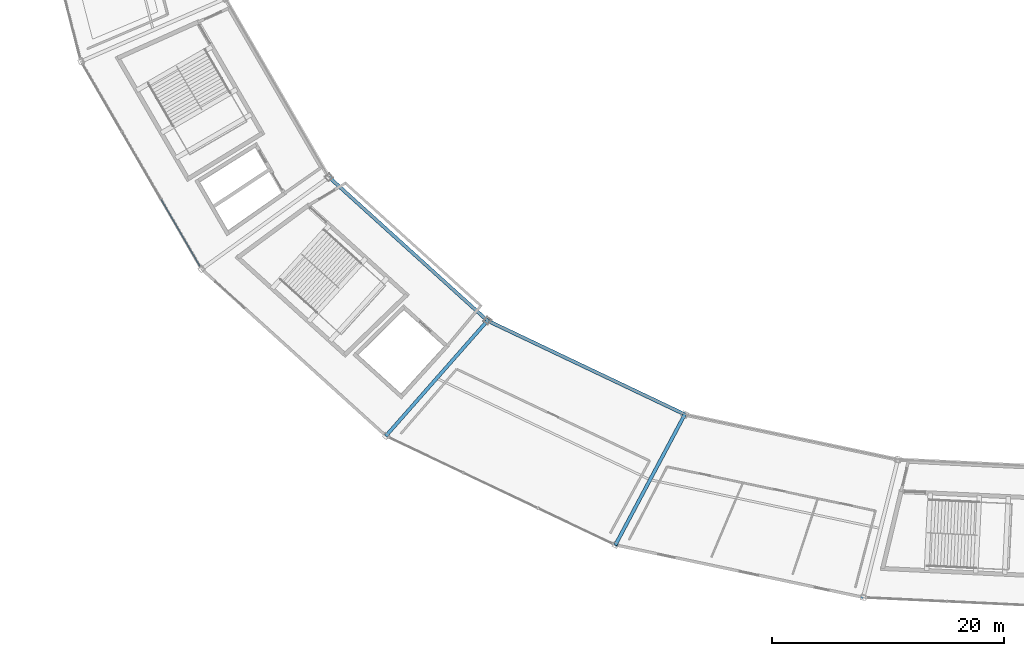
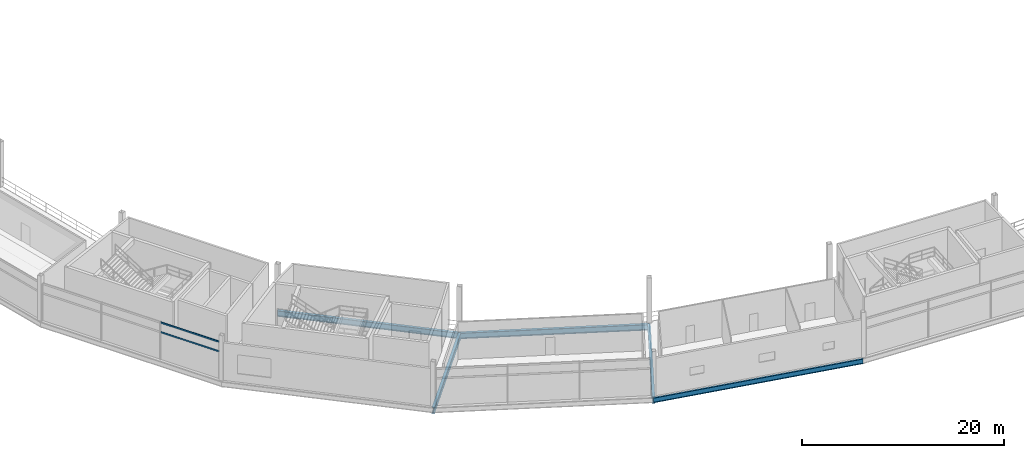
# One storey, part 16 of 103: 5 beams, 2 members, 1 element without a shape of its own.
"""IFC4 building model written with IfcOpenShell, lengths in metres."""

from ifc_helpers import new_model, si_unit, direction, frame, origin, origin_2d, place, context, subcontext, project, spatial, hollow_rectangle, i_section, extrude, material, layer, layer_set, material_profile, profile_set, type_object, element, aggregate, save


model = new_model("IFC4")

# Units and contexts
model_context = context("Model", 3, precision=1e-05, world=origin(), true_north=direction((0.0, 1.0)))
body_context = subcontext(model_context, "Body", "Model", "MODEL_VIEW")
ifc_project = project(units=[si_unit("LENGTHUNIT", "METRE"), si_unit("AREAUNIT", "SQUARE_METRE"), si_unit("VOLUMEUNIT", "CUBIC_METRE"), si_unit("PLANEANGLEUNIT", "RADIAN"), si_unit("MASSUNIT", "GRAM", prefix="KILO")], contexts=[model_context])

# Site, building, storey
site_placement = place(None, origin())
site = spatial("IfcSite", under=ifc_project, at=site_placement, CompositionType="ELEMENT")
building_placement = place(site_placement, origin())
building = spatial("IfcBuilding", under=site, at=building_placement, Name="Kazemori Nagisa Stadium", CompositionType="ELEMENT")
storey_placement = place(building_placement, frame((0.0, 0.0, 25.840087890625)))
storey = spatial("IfcBuildingStorey", under=building, at=storey_placement, Name="L05", CompositionType="ELEMENT", Elevation=25.840087890625)

# Beams
ifc_material_1 = material(Name="Steel SN490B", Category="steel")
ifc_material_profile_1 = material_profile(ifc_material_1, i_section(OverallWidth=0.300048828125, OverallDepth=0.699951171875, WebThickness=0.012939453125, FlangeThickness=0.02392578125, FilletRadius=0.01806640625, at=origin_2d()), Name="H-700x300x13x24")
ifc_profile_set_1 = profile_set([ifc_material_profile_1], Name="Steel SN490B")
beam_type_1 = type_object("IfcBeamType", Name="Beam_BG-H700", PredefinedType="BEAM", material=ifc_profile_set_1)
beam_1_placement = place(storey_placement, frame((55.493896484375, 53.265869140625, -0.610107421875), z_axis=(0.741349142139, -0.671119549298, 0.0), x_axis=(0.671119549298, 0.741349142139, 0.0)))
element("IfcBeam", 1, at=beam_1_placement, inside=storey, type_object=beam_type_1, Name="Ring girder BG-H700 L05 R2-18", PredefinedType="BEAM", context=body_context, shape_type="SweptSolid", body=[
    extrude(i_section(OverallWidth=0.300048828125, OverallDepth=0.699951171875, WebThickness=0.012939453125, FlangeThickness=0.02392578125, FilletRadius=0.01806640625, at=origin_2d()), origin(), (0.0, 0.0, 1.0), 18.44189453125),
])
beam_2_placement = place(storey_placement, frame((69.165771484375, 40.88916015625, -0.610107421875), z_axis=(0.90321938295, -0.42917915404, 0.0), x_axis=(0.42917915404, 0.90321938295, 0.0)))
element("IfcBeam", 2, at=beam_2_placement, inside=storey, type_object=beam_type_1, Name="Ring girder BG-H700 L05 R2-19", PredefinedType="BEAM", context=body_context, shape_type="SweptSolid", body=[
    extrude(i_section(OverallWidth=0.300048828125, OverallDepth=0.699951171875, WebThickness=0.012939453125, FlangeThickness=0.02392578125, FilletRadius=0.01806640625, at=origin_2d()), origin(), (0.0, 0.0, 1.0), 18.84619140625),
])
beam_3_placement = place(storey_placement, frame((69.165771484375, 40.88916015625, -0.610107421875), z_axis=(-0.661019680997, -0.750368563664, 0.0), x_axis=(0.750368563664, -0.661019680997, 0.0)))
element("IfcBeam", 3, at=beam_3_placement, inside=storey, type_object=beam_type_1, Name="Radial girder BG-H700 L05 R2-R3-19", PredefinedType="BEAM", context=body_context, shape_type="SweptSolid", body=[
    extrude(i_section(OverallWidth=0.300048828125, OverallDepth=0.699951171875, WebThickness=0.012939453125, FlangeThickness=0.02392578125, FilletRadius=0.01806640625, at=origin_2d()), origin(), (0.0, 0.0, 1.0), 13.2578125),
])
beam_4_placement = place(storey_placement, frame((86.18798828125, 32.80078125, -0.610107421875), z_axis=(-0.469648511848, -0.882853484628, 0.0), x_axis=(0.882853484628, -0.469648511848, 0.0)))
element("IfcBeam", 4, at=beam_4_placement, inside=storey, type_object=beam_type_1, Name="Radial girder BG-H700 L05 R2-R3-20", PredefinedType="BEAM", context=body_context, shape_type="SweptSolid", body=[
    extrude(i_section(OverallWidth=0.300048828125, OverallDepth=0.699951171875, WebThickness=0.012939453125, FlangeThickness=0.02392578125, FilletRadius=0.01806640625, at=origin_2d()), origin(), (0.0, 0.0, 1.0), 12.760009765625),
])
ifc_material_profile_2 = material_profile(ifc_material_1, i_section(OverallWidth=0.199951171875, OverallDepth=0.60009765625, WebThickness=0.010986328125, FlangeThickness=0.01708984375, FilletRadius=0.012939453125, at=origin_2d()), Name="H-600x200x11x17")
ifc_profile_set_2 = profile_set([ifc_material_profile_2], Name="Steel SN490B")
beam_type_2 = type_object("IfcBeamType", Name="Beam_BS-H600", PredefinedType="SPANDREL", material=ifc_profile_set_2)
beam_5_placement = place(storey_placement, frame((80.1953125, 21.53564453125, -0.56005859375), z_axis=(0.97834587432, -0.206976689994, 0.0), x_axis=(0.206976689994, 0.97834587432, 0.0)))
element("IfcBeam", 5, at=beam_5_placement, inside=storey, type_object=beam_type_2, Name="Ring girder BS-H600 L05 R3-20", PredefinedType="SPANDREL", context=body_context, shape_type="SweptSolid", body=[
    extrude(i_section(OverallWidth=0.199951171875, OverallDepth=0.60009765625, WebThickness=0.010986328125, FlangeThickness=0.01708984375, FilletRadius=0.012939453125, at=origin_2d()), origin(), (0.0, 0.0, 1.0), 21.85009765625),
])

# Curtain wall, members
ifc_material_2 = material(Name="Anodised aluminium 6063-T5", Category="aluminium")
ifc_layer = layer(ifc_material_2, 0.239990234375, Name="Anodised aluminium 6063-T5", Category="aluminium")
ifc_layer_set = layer_set([ifc_layer], Name="Anodised aluminium 6063-T5")
curtain_wall_type = type_object("IfcCurtainWallType", Name="CW_L05R3_101", PredefinedType="USERDEFINED", material=ifc_layer_set)
curtain_wall_placement = place(storey_placement, origin())
curtain_wall = element("IfcCurtainWall", 6, at=curtain_wall_placement, inside=storey, type_object=curtain_wall_type, Name="Unitised curtain wall CW-L05R3-101 L05", ObjectType="UNITISED CURTAIN WALL", PredefinedType="USERDEFINED")
ifc_material_3 = material(Name="Aluminium 6063-T5 anodised", Category="aluminium")
ifc_material_profile_3 = material_profile(ifc_material_3, hollow_rectangle(XDim=0.090087890625, YDim=0.179931640625, WallThickness=0.0048828125, at=origin_2d()), Name="ALU-TRAN-90x180x5")
ifc_profile_set_3 = profile_set([ifc_material_profile_3], Name="Aluminium 6063-T5 anodised")
member_type = type_object("IfcMemberType", Name="Transom_T03", PredefinedType="USERDEFINED", material=ifc_profile_set_3)
member_1_placement = place(storey_placement, frame((41.0087890625, 51.361328125, 3.306884765625), z_axis=(0.50161984125, -0.865088165948, 0.0), x_axis=(0.865088165948, 0.50161984125, 0.0)))
member_1 = element("IfcMember", 7, at=member_1_placement, type_object=member_type, Name="Curtain wall transom CW-L05R3-101-T3-mid", ObjectType="TRANSOM", PredefinedType="USERDEFINED", context=body_context, shape_type="SweptSolid", body=[
    extrude(hollow_rectangle(XDim=0.090087890625, YDim=0.179931640625, WallThickness=0.0048828125, at=origin_2d()), origin(), (0.0, 0.0, 1.0), 6.694091796875),
])
member_2_placement = place(storey_placement, frame((41.0087890625, 51.361328125, 4.4599609375), z_axis=(0.50161984125, -0.865088165948, 0.0), x_axis=(0.865088165948, 0.50161984125, 0.0)))
member_2 = element("IfcMember", 8, at=member_2_placement, type_object=member_type, Name="Curtain wall transom CW-L05R3-101-T3-head", ObjectType="TRANSOM", PredefinedType="USERDEFINED", context=body_context, shape_type="SweptSolid", body=[
    extrude(hollow_rectangle(XDim=0.090087890625, YDim=0.179931640625, WallThickness=0.0048828125, at=origin_2d()), origin(), (0.0, 0.0, 1.0), 6.694091796875),
])
aggregate(curtain_wall, [member_1, member_2])

save(model, "model.ifc")
